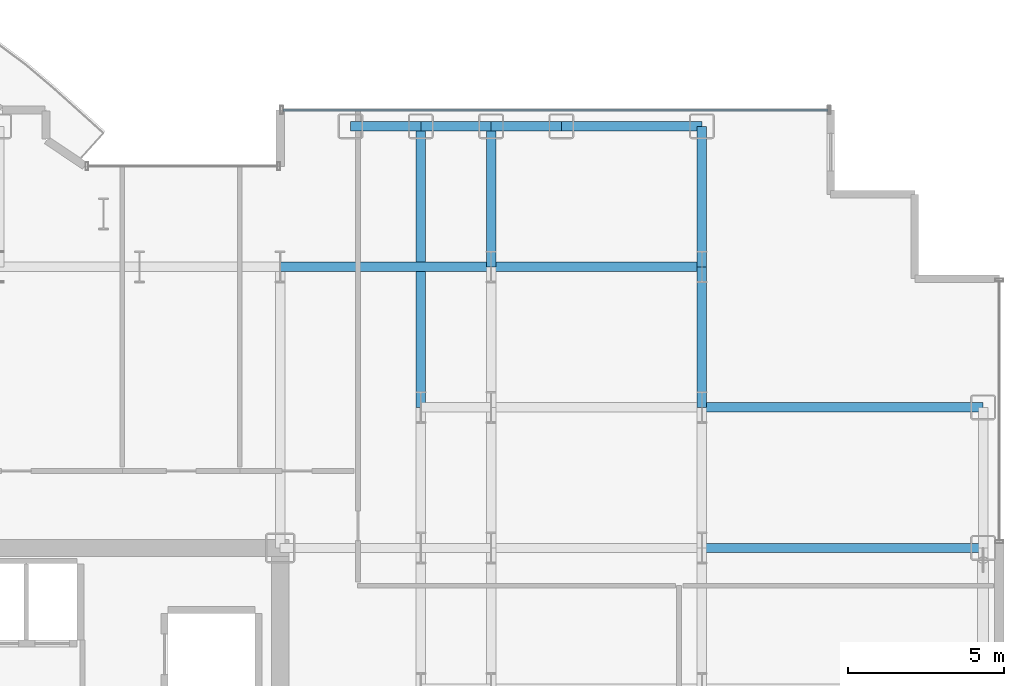
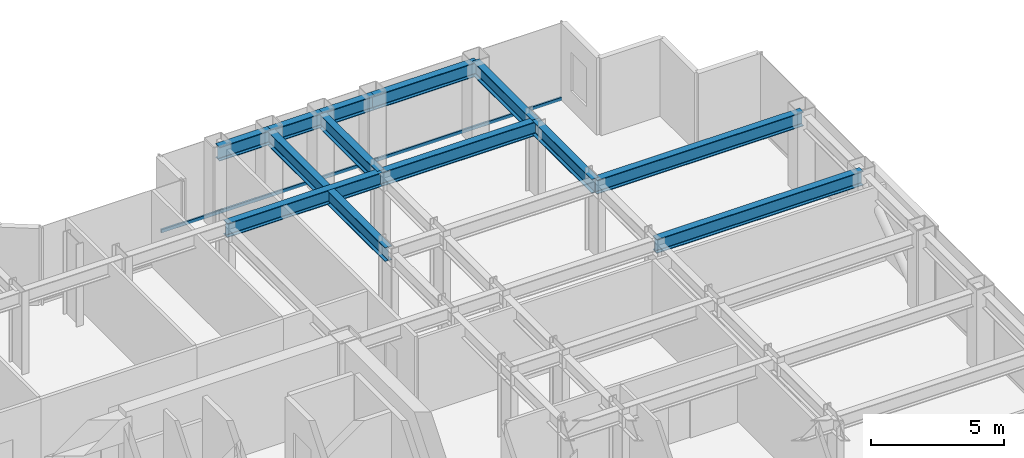
# One storey, part 16 of 29: 12 beams, 1 member, 1 element without a shape of its own.
"""IFC4 building model written with IfcOpenShell, lengths in metres."""

from ifc_helpers import new_model, si_unit, direction, frame, origin, origin_2d, place, context, subcontext, project, spatial, hollow_rectangle, i_section, extrude, source, transform, mapped, material, layer, layer_set, material_profile, profile_set, type_object, element, aggregate, save


model = new_model("IFC4")

# Units and contexts
model_context = context("Model", 3, precision=1e-05, world=origin(), true_north=direction((0.0, 1.0)))
body_context = subcontext(model_context, "Body", "Model", "MODEL_VIEW")
ifc_project = project(units=[si_unit("LENGTHUNIT", "METRE"), si_unit("AREAUNIT", "SQUARE_METRE"), si_unit("VOLUMEUNIT", "CUBIC_METRE"), si_unit("PLANEANGLEUNIT", "RADIAN"), si_unit("MASSUNIT", "GRAM", prefix="KILO")], contexts=[model_context])

# Site, building, storey
site_placement = place(None, origin())
site = spatial("IfcSite", under=ifc_project, at=site_placement, CompositionType="ELEMENT")
building_placement = place(site_placement, origin())
building = spatial("IfcBuilding", under=site, at=building_placement, Name="Nefas-Gora Pilgrimage Tower", CompositionType="ELEMENT")
storey_placement = place(building_placement, frame((0.0, 0.0, 113.60009765625)))
storey = spatial("IfcBuildingStorey", under=building, at=storey_placement, Name="L27", CompositionType="ELEMENT", Elevation=113.60009765625)

# Beams
ifc_material_1 = material(Name="Steel S355", Category="steel")
ifc_material_profile_1 = material_profile(ifc_material_1, i_section(OverallWidth=0.300048828125, OverallDepth=0.64990234375, WebThickness=0.01611328125, FlangeThickness=0.031005859375, FilletRadius=0.027099609375, at=origin_2d()), Name="HEB 650")
ifc_profile_set_1 = profile_set([ifc_material_profile_1], Name="Steel S355")
beam_type_1 = type_object("IfcBeamType", Name="BM-SPN-HEB500", PredefinedType="SPANDREL", material=ifc_profile_set_1)
shared_shape_1 = source(origin(), body_context, "Body", "SweptSolid", [
    extrude(i_section(OverallWidth=0.300048828125, OverallDepth=0.64990234375, WebThickness=0.01611328125, FlangeThickness=0.031005859375, FilletRadius=0.027099609375, at=origin_2d()), origin(), (0.0, 0.0, 1.0), 4.5),
])
beam_placement = place(storey_placement, frame((20.25, 22.5, 3.224853515625), z_axis=(1.0, 0.0, 0.0), x_axis=(0.0, 1.0, 0.0)))
element("IfcBeam", 1, at=beam_placement, inside=storey, type_object=beam_type_1, Name="L27 SP-02 beam", PredefinedType="SPANDREL", context=body_context, shape_type="MappedRepresentation", body=[
    mapped(shared_shape_1, transform((0.0, 0.0, 0.0), x_axis=(1.0, 0.0, 0.0), y_axis=(0.0, 1.0, 0.0), z_axis=(0.0, 0.0, 1.0), scale=1.0)),
])
ifc_material_profile_2 = material_profile(ifc_material_1, i_section(OverallWidth=0.300048828125, OverallDepth=0.64990234375, WebThickness=0.01611328125, FlangeThickness=0.031005859375, FilletRadius=0.027099609375, at=origin_2d()), Name="HEB 650")
ifc_profile_set_2 = profile_set([ifc_material_profile_2], Name="Steel S355")
beam_type_2 = type_object("IfcBeamType", Name="BM-GIR-HEB650", PredefinedType="BEAM", material=ifc_profile_set_2)
shared_shape_2 = source(origin(), body_context, "Body", "SweptSolid", [
    extrude(i_section(OverallWidth=0.300048828125, OverallDepth=0.64990234375, WebThickness=0.01611328125, FlangeThickness=0.031005859375, FilletRadius=0.027099609375, at=origin_2d()), origin(), (0.0, 0.0, 1.0), 9.0),
])
for number, where, z_axis, x_axis, name in (
    (2, (15.75, 13.5, 3.224853515625), (0.0, 1.0, 0.0), (-1.0, 0.0, 0.0), "L27 G-03 beam"),
    (3, (24.75, 9.0, 3.224853515625), (1.0, 0.0, 0.0), (0.0, 1.0, 0.0), "L27 G-03 beam"),
    (4, (24.75, 13.5, 3.224853515625), (1.0, 0.0, 0.0), (0.0, 1.0, 0.0), "L27 G-03 beam"),
):
    element("IfcBeam", number, at=place(storey_placement, frame(where, z_axis=z_axis, x_axis=x_axis)), inside=storey, type_object=beam_type_2, Name=name, PredefinedType="BEAM", context=body_context, shape_type="MappedRepresentation", body=[
        mapped(shared_shape_2, transform((0.0, 0.0, 0.0), x_axis=(1.0, 0.0, 0.0), y_axis=(0.0, 1.0, 0.0), z_axis=(0.0, 0.0, 1.0), scale=1.0)),
    ])
shared_shape_3 = source(origin(), body_context, "Body", "SweptSolid", [
    extrude(i_section(OverallWidth=0.300048828125, OverallDepth=0.64990234375, WebThickness=0.01611328125, FlangeThickness=0.031005859375, FilletRadius=0.027099609375, at=origin_2d()), origin(), (0.0, 0.0, 1.0), 4.5),
])
for number, where, z_axis, x_axis, name in (
    (5, (18.0, 18.0, 3.224853515625), (0.0, 1.0, 0.0), (-1.0, 0.0, 0.0), "L27 G-03 beam"),
    (6, (24.75, 13.5, 3.224853515625), (0.0, 1.0, 0.0), (-1.0, 0.0, 0.0), "L27 G-03 beam"),
    (7, (24.75, 18.0, 3.224853515625), (0.0, 1.0, 0.0), (-1.0, 0.0, 0.0), "L27 G-03 beam"),
):
    element("IfcBeam", number, at=place(storey_placement, frame(where, z_axis=z_axis, x_axis=x_axis)), inside=storey, type_object=beam_type_2, Name=name, PredefinedType="BEAM", context=body_context, shape_type="MappedRepresentation", body=[
        mapped(shared_shape_3, transform((0.0, 0.0, 0.0), x_axis=(1.0, 0.0, 0.0), y_axis=(0.0, 1.0, 0.0), z_axis=(0.0, 0.0, 1.0), scale=1.0)),
    ])
shared_shape_4 = source(origin(), body_context, "Body", "SweptSolid", [
    extrude(i_section(OverallWidth=0.300048828125, OverallDepth=0.64990234375, WebThickness=0.01611328125, FlangeThickness=0.031005859375, FilletRadius=0.027099609375, at=origin_2d()), origin(), (0.0, 0.0, 1.0), 6.75),
])
for number, where, z_axis, x_axis, name in (
    (8, (11.25, 18.0, 3.224853515625), (1.0, 0.0, 0.0), (0.0, 1.0, 0.0), "L27 G-03 beam"),
    (9, (18.0, 18.0, 3.224853515625), (1.0, 0.0, 0.0), (0.0, 1.0, 0.0), "L27 G-03 beam"),
):
    element("IfcBeam", number, at=place(storey_placement, frame(where, z_axis=z_axis, x_axis=x_axis)), inside=storey, type_object=beam_type_2, Name=name, PredefinedType="BEAM", context=body_context, shape_type="MappedRepresentation", body=[
        mapped(shared_shape_4, transform((0.0, 0.0, 0.0), x_axis=(1.0, 0.0, 0.0), y_axis=(0.0, 1.0, 0.0), z_axis=(0.0, 0.0, 1.0), scale=1.0)),
    ])
shared_shape_5 = source(origin(), body_context, "Body", "SweptSolid", [
    extrude(i_section(OverallWidth=0.300048828125, OverallDepth=0.64990234375, WebThickness=0.01611328125, FlangeThickness=0.031005859375, FilletRadius=0.027099609375, at=origin_2d()), origin(), (0.0, 0.0, 1.0), 2.25),
])
for number, where, z_axis, x_axis, name in (
    (10, (13.5, 22.5, 3.224853515625), (1.0, 0.0, 0.0), (0.0, 1.0, 0.0), "L27 SP-02 beam"),
    (11, (15.75, 22.5, 3.224853515625), (1.0, 0.0, 0.0), (0.0, 1.0, 0.0), "L27 SP-02 beam"),
    (12, (18.0, 22.5, 3.224853515625), (1.0, 0.0, 0.0), (0.0, 1.0, 0.0), "L27 SP-02 beam"),
):
    element("IfcBeam", number, at=place(storey_placement, frame(where, z_axis=z_axis, x_axis=x_axis)), inside=storey, type_object=beam_type_1, Name=name, PredefinedType="SPANDREL", context=body_context, shape_type="MappedRepresentation", body=[
        mapped(shared_shape_5, transform((0.0, 0.0, 0.0), x_axis=(1.0, 0.0, 0.0), y_axis=(0.0, 1.0, 0.0), z_axis=(0.0, 0.0, 1.0), scale=1.0)),
    ])

# Curtain wall, member
ifc_material_2 = material(Name="Dark ceramic-fritted solar-control aluminium-glass curtain wall", Category="aluminium")
ifc_layer = layer(ifc_material_2, 0.219970703125)
ifc_layer_set = layer_set([ifc_layer], Name="Dark ceramic-fritted solar-control aluminium-glass curtain wall")
curtain_wall_type = type_object("IfcCurtainWallType", Name="CW-SYS-2", PredefinedType="NOTDEFINED", material=ifc_layer_set)
curtain_wall_placement = place(storey_placement, origin())
curtain_wall = element("IfcCurtainWall", 13, at=curtain_wall_placement, inside=storey, type_object=curtain_wall_type, Name="L27 Unitised Curtain Wall CW2", PredefinedType="NOTDEFINED")
ifc_material_3 = material(Name="Anodised architectural aluminium", Category="aluminium")
ifc_material_profile_3 = material_profile(ifc_material_3, hollow_rectangle(XDim=0.080078125, YDim=0.159912109375, WallThickness=0.00439453125, InnerFilletRadius=0.00439453125, OuterFilletRadius=0.009033203125, at=origin_2d()), Name="ALU TRANSOM 80x160")
ifc_profile_set_3 = profile_set([ifc_material_profile_3], Name="Anodised architectural aluminium")
member_type = type_object("IfcMemberType", Name="CWM-TRN-2", PredefinedType="USERDEFINED", material=ifc_profile_set_3)
shared_shape_6 = source(origin(), body_context, "Body", "SweptSolid", [
    extrude(hollow_rectangle(XDim=0.080078125, YDim=0.159912109375, WallThickness=0.00439453125, InnerFilletRadius=0.00439453125, OuterFilletRadius=0.009033203125, at=origin_2d()), origin(), (0.0, 0.0, 1.0), 17.43994140625),
])
member_placement = place(storey_placement, frame((28.780029296875, 23.02001953125, 0.0498046875), z_axis=(-1.0, 0.0, 0.0), x_axis=(0.0, -1.0, 0.0)))
member = element("IfcMember", 14, at=member_placement, type_object=member_type, Name="CW2 Spandrel Transom", ObjectType="TRANSOM", PredefinedType="USERDEFINED", context=body_context, shape_type="MappedRepresentation", body=[
    mapped(shared_shape_6, transform((0.0, 0.0, 0.0), x_axis=(1.0, 0.0, 0.0), y_axis=(0.0, 1.0, 0.0), z_axis=(0.0, 0.0, 1.0), scale=1.0)),
])
aggregate(curtain_wall, [member])

save(model, "model.ifc")
